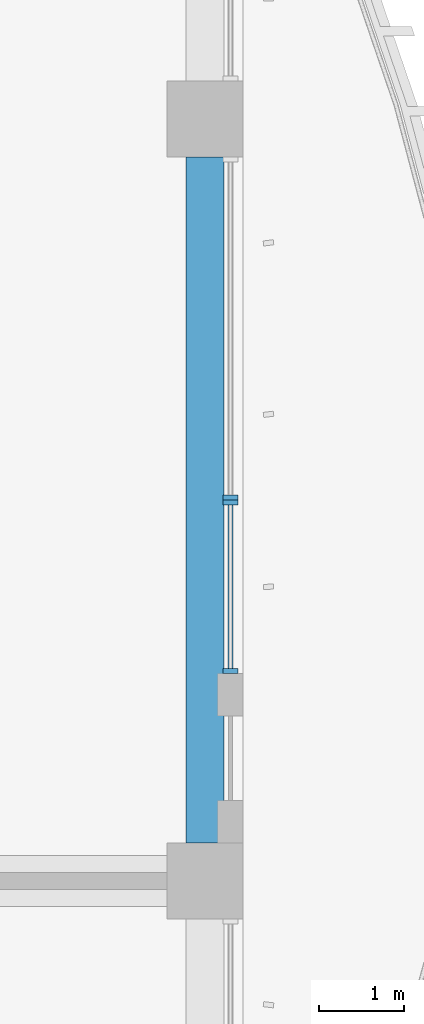
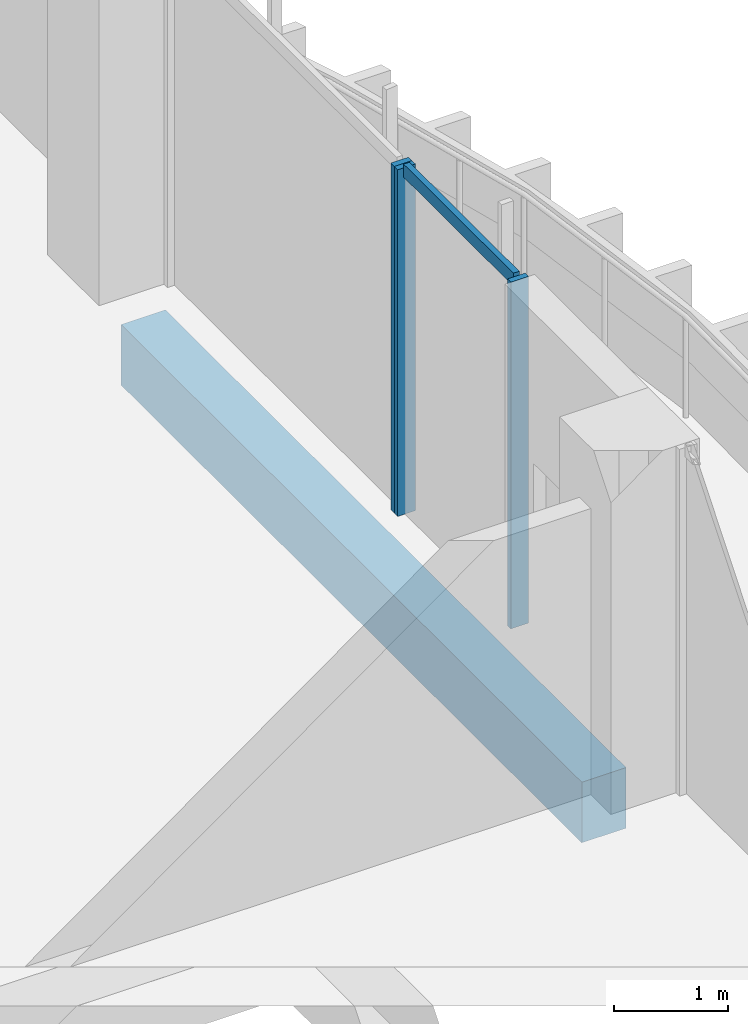
# One storey, part 8 of 27: 4 members, 1 beam, 2 elements without a shape of their own.
"""IFC4 building model written with IfcOpenShell, lengths in metres."""

from ifc_helpers import new_model, si_unit, direction, frame, origin, origin_2d, place, context, subcontext, project, spatial, rectangle, extrude, source, transform, mapped, material, material_profile, profile_set, type_object, element, aggregate, save


model = new_model("IFC4")

# Units and contexts
model_context = context("Model", 3, precision=1e-05, world=origin(), true_north=direction((0.0, 1.0)))
body_context = subcontext(model_context, "Body", "Model", "MODEL_VIEW")
ifc_project = project(units=[si_unit("LENGTHUNIT", "METRE"), si_unit("AREAUNIT", "SQUARE_METRE"), si_unit("VOLUMEUNIT", "CUBIC_METRE"), si_unit("PLANEANGLEUNIT", "RADIAN"), si_unit("MASSUNIT", "GRAM", prefix="KILO")], contexts=[model_context])

# Site, building, storey
site_placement = place(None, origin())
site = spatial("IfcSite", under=ifc_project, at=site_placement, CompositionType="ELEMENT")
building_placement = place(site_placement, origin())
building = spatial("IfcBuilding", under=site, at=building_placement, Name="Kilnfold Tower and Market Hall", CompositionType="ELEMENT")
storey_placement = place(building_placement, frame((0.0, 0.0, 51.0)))
storey = spatial("IfcBuildingStorey", under=building, at=storey_placement, Name="L11", CompositionType="ELEMENT", Elevation=51.0)

# Beam
ifc_material_1 = material(Name="Concrete C45", Category="concrete")
ifc_material_profile_1 = material_profile(ifc_material_1, rectangle(XDim=0.449951171875, YDim=0.64990234375, at=origin_2d()), Name="RC 450x650")
ifc_profile_set_1 = profile_set([ifc_material_profile_1], Name="Concrete C45")
beam_type = type_object("IfcBeamType", Name="EDGE BEAM 450X650 C45", PredefinedType="BEAM", material=ifc_profile_set_1)
shared_shape_1 = source(origin(), body_context, "Body", "SweptSolid", [
    extrude(rectangle(XDim=0.449951171875, YDim=0.64990234375, at=origin_2d()), origin(), (0.0, 0.0, 1.0), 8.10009765625),
])
beam_placement = place(storey_placement, frame((27.550048828125, -0.550048828125, -0.60498046875), z_axis=(0.0, 1.0, 0.0), x_axis=(-1.0, 0.0, 0.0)))
element("IfcBeam", 1, at=beam_placement, inside=storey, type_object=beam_type, Name="Beam EB650-B1.53", PredefinedType="BEAM", context=body_context, shape_type="MappedRepresentation", body=[
    mapped(shared_shape_1, transform((0.0, 0.0, 0.0))),
])

# Curtain wall, members
ifc_material_2 = material(Name="Aluminium and double glazing", Category="aluminium")
curtain_wall_type = type_object("IfcCurtainWallType", Name="CW OF1 VALLEY GLAZING", PredefinedType="NOTDEFINED", material=ifc_material_2)
curtain_wall_1_placement = place(storey_placement, origin())
curtain_wall_1 = element("IfcCurtainWall", 2, at=curtain_wall_1_placement, inside=storey, type_object=curtain_wall_type, Name="Curtain wall CW1 L11 E", PredefinedType="NOTDEFINED")
ifc_material_3 = material(Name="Aluminium", Category="aluminium")
ifc_material_profile_2 = material_profile(ifc_material_3, rectangle(XDim=0.06005859375, YDim=0.179931640625, at=origin_2d()), Name="MULLION 60x180")
ifc_profile_set_2 = profile_set([ifc_material_profile_2], Name="Aluminium")
member_type_1 = type_object("IfcMemberType", Name="MULLION 60X180", PredefinedType="MULLION", material=ifc_profile_set_2)
shared_shape_2 = source(origin(), body_context, "Body", "SweptSolid", [
    extrude(rectangle(XDim=0.06005859375, YDim=0.179931640625, at=origin_2d()), origin(), (0.0, 0.0, 1.0), 3.719970703125),
])
member_1_placement = place(storey_placement, frame((27.85009765625, 1.47998046875, 0.0), z_axis=(0.0, 0.0, 1.0), x_axis=(0.0, 1.0, 0.0)))
member_1 = element("IfcMember", 3, at=member_1_placement, type_object=member_type_1, Name="CW1 mullion 1", PredefinedType="MULLION", context=body_context, shape_type="MappedRepresentation", body=[
    mapped(shared_shape_2, transform((0.0, 0.0, 0.0))),
])
member_2_placement = place(storey_placement, frame((27.85009765625, 3.469970703125, 0.0), z_axis=(0.0, 0.0, 1.0), x_axis=(0.0, 1.0, 0.0)))
member_2 = element("IfcMember", 4, at=member_2_placement, type_object=member_type_1, Name="CW1 mullion 2", PredefinedType="MULLION", context=body_context, shape_type="MappedRepresentation", body=[
    mapped(shared_shape_2, transform((0.0, 0.0, 0.0))),
])

# Curtain wall, member
curtain_wall_2_placement = place(storey_placement, origin())
curtain_wall_2 = element("IfcCurtainWall", 5, at=curtain_wall_2_placement, inside=storey, type_object=curtain_wall_type, Name="Curtain wall CW1 L11 E", PredefinedType="NOTDEFINED")
member_3_placement = place(storey_placement, frame((27.85009765625, 3.530029296875, 0.0), z_axis=(0.0, 0.0, 1.0), x_axis=(0.0, 1.0, 0.0)))
member_3 = element("IfcMember", 6, at=member_3_placement, type_object=member_type_1, Name="CW1 mullion 1", PredefinedType="MULLION", context=body_context, shape_type="MappedRepresentation", body=[
    mapped(shared_shape_2, transform((0.0, 0.0, 0.0))),
])
aggregate(curtain_wall_2, [member_3])

# Member
ifc_material_4 = material(Name="Aluminium", Category="aluminium")
ifc_material_profile_3 = material_profile(ifc_material_4, rectangle(XDim=0.06005859375, YDim=0.139892578125, at=origin_2d()), Name="TRANSOM 60x140")
ifc_profile_set_3 = profile_set([ifc_material_profile_3], Name="Aluminium")
member_type_2 = type_object("IfcMemberType", Name="TRANSOM 60X140", PredefinedType="USERDEFINED", material=ifc_profile_set_3)
shared_shape_3 = source(origin(), body_context, "Body", "SweptSolid", [
    extrude(rectangle(XDim=0.06005859375, YDim=0.139892578125, at=origin_2d()), origin(), (0.0, 0.0, 1.0), 1.929931640625),
])
member_4_placement = place(storey_placement, frame((27.85009765625, 1.510009765625, 3.68994140625), z_axis=(0.0, 1.0, 0.0), x_axis=(-1.0, 0.0, 0.0)))
member_4 = element("IfcMember", 7, at=member_4_placement, type_object=member_type_2, Name="CW1 transom 1.2", ObjectType="TRANSOM", PredefinedType="USERDEFINED", context=body_context, shape_type="MappedRepresentation", body=[
    mapped(shared_shape_3, transform((0.0, 0.0, 0.0))),
])

aggregate(curtain_wall_1, [member_1, member_2, member_4])

save(model, "model.ifc")
